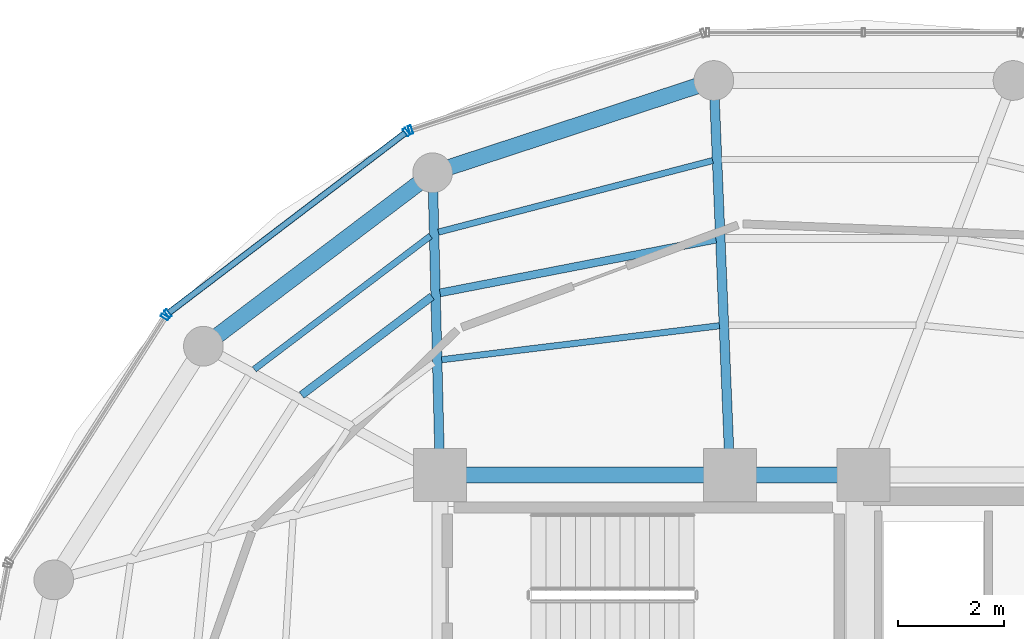
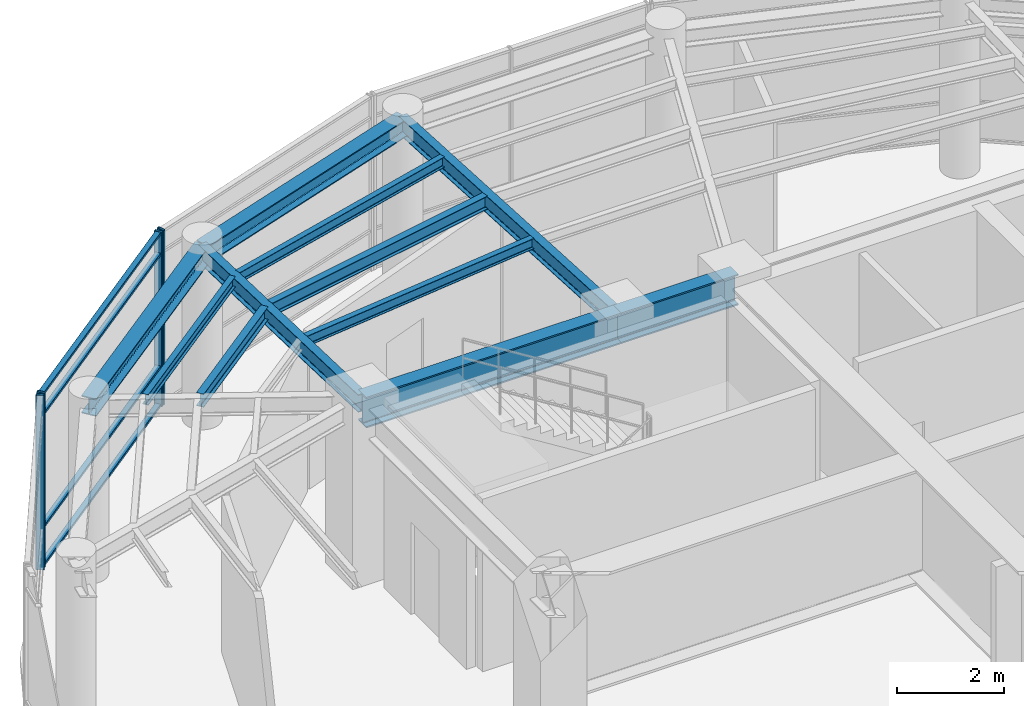
# One storey, part 10 of 19: 11 beams, 8 members, 3 elements without a shape of their own.
"""IFC4 building model written with IfcOpenShell, lengths in metres."""

from ifc_helpers import new_model, si_unit, direction, frame, origin, origin_2d, place, context, subcontext, project, spatial, hollow_rectangle, i_section, extrude, material, layer, layer_set, material_profile, profile_set, type_object, element, aggregate, save


model = new_model("IFC4")

# Units and contexts
model_context = context("Model", 3, precision=1e-05, world=origin(), true_north=direction((0.0, 1.0)))
body_context = subcontext(model_context, "Body", "Model", "MODEL_VIEW")
ifc_project = project(units=[si_unit("LENGTHUNIT", "METRE"), si_unit("AREAUNIT", "SQUARE_METRE"), si_unit("VOLUMEUNIT", "CUBIC_METRE"), si_unit("PLANEANGLEUNIT", "RADIAN"), si_unit("MASSUNIT", "GRAM", prefix="KILO")], contexts=[model_context])

# Site, building, storey
site_placement = place(None, origin())
site = spatial("IfcSite", under=ifc_project, at=site_placement, CompositionType="ELEMENT")
building_placement = place(site_placement, origin())
building = spatial("IfcBuilding", under=site, at=building_placement, Name="Kelanora Arch Commons", CompositionType="ELEMENT")
storey_placement = place(building_placement, frame((0.0, 0.0, 306.89990234375)))
storey = spatial("IfcBuildingStorey", under=building, at=storey_placement, Name="L78", CompositionType="ELEMENT", Elevation=306.89990234375)

# Beams
ifc_material_1 = material(Name="Steel S355", Category="steel")
ifc_material_profile_1 = material_profile(ifc_material_1, i_section(OverallWidth=0.300048828125, OverallDepth=0.699951171875, WebThickness=0.01708984375, FlangeThickness=0.031982421875, FilletRadius=0.027099609375, at=origin_2d()), Name="HEB700")
ifc_profile_set_1 = profile_set([ifc_material_profile_1], Name="Steel S355")
beam_type_1 = type_object("IfcBeamType", Name="BM-CORE-HDR", PredefinedType="BEAM", material=ifc_profile_set_1)
beam_1_placement = place(storey_placement, frame((74.0, 65.0, 3.630126953125), z_axis=(-1.0, 0.0, 0.0), x_axis=(0.0, -1.0, 0.0)))
element("IfcBeam", 1, at=beam_1_placement, inside=storey, type_object=beam_type_1, Name="Core Header Beam 06 L78", PredefinedType="BEAM", context=body_context, shape_type="SweptSolid", body=[
    extrude(i_section(OverallWidth=0.300048828125, OverallDepth=0.699951171875, WebThickness=0.01708984375, FlangeThickness=0.031982421875, FilletRadius=0.027099609375, at=origin_2d()), origin(), (0.0, 0.0, 1.0), 2.52001953125),
])
beam_2_placement = place(storey_placement, frame((71.47998046875, 65.0, 3.630126953125), z_axis=(-1.0, 0.0, 0.0), x_axis=(0.0, -1.0, 0.0)))
element("IfcBeam", 2, at=beam_2_placement, inside=storey, type_object=beam_type_1, Name="Core Header Beam 07 L78", PredefinedType="BEAM", context=body_context, shape_type="SweptSolid", body=[
    extrude(i_section(OverallWidth=0.300048828125, OverallDepth=0.699951171875, WebThickness=0.01708984375, FlangeThickness=0.031982421875, FilletRadius=0.027099609375, at=origin_2d()), origin(), (0.0, 0.0, 1.0), 5.47998046875),
])
ifc_material_profile_2 = material_profile(ifc_material_1, i_section(OverallWidth=0.14990234375, OverallDepth=0.300048828125, WebThickness=0.007080078125, FlangeThickness=0.0107421875, FilletRadius=0.014892578125, at=origin_2d()), Name="IPE300")
ifc_profile_set_2 = profile_set([ifc_material_profile_2], Name="Steel S355")
beam_type_2 = type_object("IfcBeamType", Name="BM-JST-01", PredefinedType="JOIST", material=ifc_profile_set_2)
beam_3_placement = place(storey_placement, frame((71.21240234375, 69.4580078125, 3.830078125), z_axis=(-0.981604860643, -0.190923800405, 0.0), x_axis=(0.190923800405, -0.981604860643, 0.0)))
element("IfcBeam", 3, at=beam_3_placement, inside=storey, type_object=beam_type_2, Name="Secondary Chord Joist BJB-10 L78", PredefinedType="JOIST", context=body_context, shape_type="SweptSolid", body=[
    extrude(i_section(OverallWidth=0.14990234375, OverallDepth=0.300048828125, WebThickness=0.007080078125, FlangeThickness=0.0107421875, FilletRadius=0.014892578125, at=origin_2d()), origin(), (0.0, 0.0, 1.0), 5.310546875),
])
beam_4_placement = place(storey_placement, frame((65.84814453125, 68.376708984375, 3.830078125), z_axis=(-0.797441333972, -0.603396485632, 0.0), x_axis=(0.603396485632, -0.797441333972, 0.0)))
element("IfcBeam", 4, at=beam_4_placement, inside=storey, type_object=beam_type_2, Name="Secondary Chord Joist BJB-12 L78", PredefinedType="JOIST", context=body_context, shape_type="SweptSolid", body=[
    extrude(i_section(OverallWidth=0.14990234375, OverallDepth=0.300048828125, WebThickness=0.007080078125, FlangeThickness=0.0107421875, FilletRadius=0.014892578125, at=origin_2d()), origin(), (0.0, 0.0, 1.0), 3.0888671875),
])
ifc_material_profile_3 = material_profile(ifc_material_1, i_section(OverallWidth=0.1201171875, OverallDepth=0.239990234375, WebThickness=0.006103515625, FlangeThickness=0.009765625, FilletRadius=0.014892578125, at=origin_2d()), Name="IPE240")
ifc_profile_set_3 = profile_set([ifc_material_profile_3], Name="Steel S355")
beam_type_3 = type_object("IfcBeamType", Name="BM-JST-02", PredefinedType="JOIST", material=ifc_profile_set_3)
beam_5_placement = place(storey_placement, frame((71.279052734375, 67.8232421875, 3.860107421875), z_axis=(-0.992603319322, -0.121402843754, 0.0), x_axis=(0.121402843754, -0.992603319322, 0.0)))
element("IfcBeam", 5, at=beam_5_placement, inside=storey, type_object=beam_type_3, Name="Secondary Chord Joist BJA-10 L78", PredefinedType="JOIST", context=body_context, shape_type="SweptSolid", body=[
    extrude(i_section(OverallWidth=0.1201171875, OverallDepth=0.239990234375, WebThickness=0.006103515625, FlangeThickness=0.009765625, FilletRadius=0.014892578125, at=origin_2d()), origin(), (0.0, 0.0, 1.0), 5.286865234375),
])
beam_6_placement = place(storey_placement, frame((71.152099609375, 70.944091796875, 3.860107421875), z_axis=(-0.967605652479, -0.252466435968, 0.0), x_axis=(0.252466435968, -0.967605652479, 0.0)))
element("IfcBeam", 6, at=beam_6_placement, inside=storey, type_object=beam_type_3, Name="Secondary Chord Joist BJC-10 L78", PredefinedType="JOIST", context=body_context, shape_type="SweptSolid", body=[
    extrude(i_section(OverallWidth=0.1201171875, OverallDepth=0.239990234375, WebThickness=0.006103515625, FlangeThickness=0.009765625, FilletRadius=0.014892578125, at=origin_2d()), origin(), (0.0, 0.0, 1.0), 5.35546875),
])
beam_7_placement = place(storey_placement, frame((65.8203125, 69.519287109375, 3.860107421875), z_axis=(-0.797480905842, -0.603344184373, 0.0), x_axis=(0.603344184373, -0.797480905842, 0.0)))
element("IfcBeam", 7, at=beam_7_placement, inside=storey, type_object=beam_type_3, Name="Secondary Chord Joist BJC-12 L78", PredefinedType="JOIST", context=body_context, shape_type="SweptSolid", body=[
    extrude(i_section(OverallWidth=0.1201171875, OverallDepth=0.239990234375, WebThickness=0.006103515625, FlangeThickness=0.009765625, FilletRadius=0.014892578125, at=origin_2d()), origin(), (0.0, 0.0, 1.0), 4.175048828125),
])
ifc_material_profile_4 = material_profile(ifc_material_1, i_section(OverallWidth=0.179931640625, OverallDepth=0.39990234375, WebThickness=0.008544921875, FlangeThickness=0.013427734375, FilletRadius=0.02099609375, at=origin_2d()), Name="IPE400")
ifc_profile_set_4 = profile_set([ifc_material_profile_4], Name="Steel S355")
beam_type_4 = type_object("IfcBeamType", Name="BM-RAD-Z5", PredefinedType="BEAM", material=ifc_profile_set_4)
beam_8_placement = place(storey_placement, frame((71.47998046875, 65.0, 3.780029296875), z_axis=(-0.041118939996, 0.999154258748, 0.0), x_axis=(-0.999154258748, -0.041118939996, 0.0)))
element("IfcBeam", 8, at=beam_8_placement, inside=storey, type_object=beam_type_4, Name="Radial Floor Girder BR-10 L78", PredefinedType="BEAM", context=body_context, shape_type="SweptSolid", body=[
    extrude(i_section(OverallWidth=0.179931640625, OverallDepth=0.39990234375, WebThickness=0.008544921875, FlangeThickness=0.013427734375, FilletRadius=0.02099609375, at=origin_2d()), origin(), (0.0, 0.0, 1.0), 7.46337890625),
])
beam_9_placement = place(storey_placement, frame((66.0, 65.0, 3.780029296875), z_axis=(-0.0244777504, 0.99970037498, 0.0), x_axis=(-0.99970037498, -0.0244777504, 0.0)))
element("IfcBeam", 9, at=beam_9_placement, inside=storey, type_object=beam_type_4, Name="Radial Floor Girder BR-12 L78", PredefinedType="BEAM", context=body_context, shape_type="SweptSolid", body=[
    extrude(i_section(OverallWidth=0.179931640625, OverallDepth=0.39990234375, WebThickness=0.008544921875, FlangeThickness=0.013427734375, FilletRadius=0.02099609375, at=origin_2d()), origin(), (0.0, 0.0, 1.0), 5.715087890625),
])
ifc_material_profile_5 = material_profile(ifc_material_1, i_section(OverallWidth=0.300048828125, OverallDepth=0.39990234375, WebThickness=0.013427734375, FlangeThickness=0.02392578125, FilletRadius=0.027099609375, at=origin_2d()), Name="HEB400")
ifc_profile_set_5 = profile_set([ifc_material_profile_5], Name="Steel S355")
beam_type_5 = type_object("IfcBeamType", Name="BM-SPN-Z4", PredefinedType="SPANDREL", material=ifc_profile_set_5)
beam_10_placement = place(storey_placement, frame((71.173095703125, 72.45703125, 3.780029296875), z_axis=(-0.950140083071, -0.311823383572, 0.0), x_axis=(0.311823383572, -0.950140083071, 0.0)))
element("IfcBeam", 10, at=beam_10_placement, inside=storey, type_object=beam_type_5, Name="Perimeter Spandrel Beam BS-10 L78", PredefinedType="SPANDREL", context=body_context, shape_type="SweptSolid", body=[
    extrude(i_section(OverallWidth=0.300048828125, OverallDepth=0.39990234375, WebThickness=0.013427734375, FlangeThickness=0.02392578125, FilletRadius=0.027099609375, at=origin_2d()), origin(), (0.0, 0.0, 1.0), 5.591796875),
])
beam_11_placement = place(storey_placement, frame((65.860107421875, 70.71337890625, 3.780029296875), z_axis=(-0.797441458309, -0.603396321309, 0.0), x_axis=(0.603396321309, -0.797441458309, 0.0)))
element("IfcBeam", 11, at=beam_11_placement, inside=storey, type_object=beam_type_5, Name="Perimeter Spandrel Beam BS-12 L78", PredefinedType="SPANDREL", context=body_context, shape_type="SweptSolid", body=[
    extrude(i_section(OverallWidth=0.300048828125, OverallDepth=0.39990234375, WebThickness=0.013427734375, FlangeThickness=0.02392578125, FilletRadius=0.027099609375, at=origin_2d()), origin(), (0.0, 0.0, 1.0), 5.431396484375),
])

# Curtain wall, member
ifc_material_2 = material(Name="Terracotta ceramic-fritted low-E glass and aluminium", Category="masonry")
ifc_layer = layer(ifc_material_2, 0.14990234375)
ifc_layer_set = layer_set([ifc_layer], Name="Terracotta ceramic-fritted low-E glass and aluminium")
curtain_wall_type = type_object("IfcCurtainWallType", Name="CW-SYS-06", PredefinedType="NOTDEFINED", material=ifc_layer_set)
curtain_wall_1_placement = place(storey_placement, origin())
curtain_wall_1 = element("IfcCurtainWall", 12, at=curtain_wall_1_placement, inside=storey, type_object=curtain_wall_type, Name="Unitised Curtain Wall L78-B05", PredefinedType="NOTDEFINED")
ifc_material_3 = material(Name="Powder-coated aluminium terracotta", Category="masonry")
ifc_material_profile_6 = material_profile(ifc_material_3, hollow_rectangle(XDim=0.159912109375, YDim=0.06005859375, WallThickness=0.0048828125, InnerFilletRadius=0.0048828125, OuterFilletRadius=0.010009765625, at=origin_2d()), Name="CWM160x60")
ifc_profile_set_6 = profile_set([ifc_material_profile_6], Name="Powder-coated aluminium terracotta")
member_type_1 = type_object("IfcMemberType", Name="CWM-STD", PredefinedType="MULLION", material=ifc_profile_set_6)
member_1_placement = place(storey_placement, frame((65.442626953125, 71.524169921875, 0.0), z_axis=(0.0, 0.0, 1.0), x_axis=(0.313466845323, -0.949599145368, 0.0)))
member_1 = element("IfcMember", 13, at=member_1_placement, type_object=member_type_1, Name="CW-06 mullion 2", PredefinedType="MULLION", context=body_context, shape_type="SweptSolid", body=[
    extrude(hollow_rectangle(XDim=0.159912109375, YDim=0.06005859375, WallThickness=0.0048828125, InnerFilletRadius=0.0048828125, OuterFilletRadius=0.010009765625, at=origin_2d()), origin(), (0.0, 0.0, 1.0), 3.965087890625),
])
aggregate(curtain_wall_1, [member_1])

# Curtain wall, members
curtain_wall_2_placement = place(storey_placement, origin())
curtain_wall_2 = element("IfcCurtainWall", 14, at=curtain_wall_2_placement, inside=storey, type_object=curtain_wall_type, Name="Unitised Curtain Wall L78-B06", PredefinedType="NOTDEFINED")
member_2_placement = place(storey_placement, frame((65.3642578125, 71.482666015625, 0.0), z_axis=(0.0, 0.0, 1.0), x_axis=(0.605595960801, -0.795772286688, 0.0)))
member_2 = element("IfcMember", 15, at=member_2_placement, type_object=member_type_1, Name="CW-06 mullion 1", PredefinedType="MULLION", context=body_context, shape_type="SweptSolid", body=[
    extrude(hollow_rectangle(XDim=0.159912109375, YDim=0.06005859375, WallThickness=0.0048828125, InnerFilletRadius=0.0048828125, OuterFilletRadius=0.010009765625, at=origin_2d()), origin(), (0.0, 0.0, 1.0), 3.965087890625),
])
member_3_placement = place(storey_placement, frame((60.85986328125, 68.0546875, 0.0), z_axis=(0.0, 0.0, 1.0), x_axis=(0.605595960801, -0.795772286688, 0.0)))
member_3 = element("IfcMember", 16, at=member_3_placement, type_object=member_type_1, Name="CW-06 mullion 2", PredefinedType="MULLION", context=body_context, shape_type="SweptSolid", body=[
    extrude(hollow_rectangle(XDim=0.159912109375, YDim=0.06005859375, WallThickness=0.0048828125, InnerFilletRadius=0.0048828125, OuterFilletRadius=0.010009765625, at=origin_2d()), origin(), (0.0, 0.0, 1.0), 3.965087890625),
])

# Curtain wall, member
curtain_wall_3_placement = place(storey_placement, origin())
curtain_wall_3 = element("IfcCurtainWall", 17, at=curtain_wall_3_placement, inside=storey, type_object=curtain_wall_type, Name="Unitised Curtain Wall L78-B07", PredefinedType="NOTDEFINED")
member_4_placement = place(storey_placement, frame((60.7998046875, 67.989501953125, 0.0), z_axis=(0.0, 0.0, 1.0), x_axis=(0.84359225554, -0.536984270154, 0.0)))
member_4 = element("IfcMember", 18, at=member_4_placement, type_object=member_type_1, Name="CW-06 mullion 1", PredefinedType="MULLION", context=body_context, shape_type="SweptSolid", body=[
    extrude(hollow_rectangle(XDim=0.159912109375, YDim=0.06005859375, WallThickness=0.0048828125, InnerFilletRadius=0.0048828125, OuterFilletRadius=0.010009765625, at=origin_2d()), origin(), (0.0, 0.0, 1.0), 3.965087890625),
])
aggregate(curtain_wall_3, [member_4])

# Member
ifc_material_profile_7 = material_profile(ifc_material_3, hollow_rectangle(XDim=0.1201171875, YDim=0.06005859375, WallThickness=0.0048828125, InnerFilletRadius=0.0048828125, OuterFilletRadius=0.010009765625, at=origin_2d()), Name="CWT120x60")
ifc_profile_set_7 = profile_set([ifc_material_profile_7], Name="Powder-coated aluminium terracotta")
member_type_2 = type_object("IfcMemberType", Name="CWT-STD", PredefinedType="USERDEFINED", material=ifc_profile_set_7)
member_5_placement = place(storey_placement, frame((65.34033203125, 71.464599609375, 0.030029296875), z_axis=(-0.79577982782, -0.605586051387, 0.0), x_axis=(0.605586051387, -0.79577982782, 0.0)))
member_5 = element("IfcMember", 19, at=member_5_placement, type_object=member_type_2, Name="CW-06 transom 1.1", ObjectType="TRANSOM", PredefinedType="USERDEFINED", context=body_context, shape_type="SweptSolid", body=[
    extrude(hollow_rectangle(XDim=0.1201171875, YDim=0.06005859375, WallThickness=0.0048828125, InnerFilletRadius=0.0048828125, OuterFilletRadius=0.010009765625, at=origin_2d()), origin(), (0.0, 0.0, 1.0), 5.6005859375),
])

member_6_placement = place(storey_placement, frame((65.34033203125, 71.464599609375, 0.900146484375), z_axis=(-0.79577982782, -0.605586051387, 0.0), x_axis=(0.605586051387, -0.79577982782, 0.0)))
member_6 = element("IfcMember", 20, at=member_6_placement, type_object=member_type_2, Name="CW-06 transom 1.2", ObjectType="TRANSOM", PredefinedType="USERDEFINED", context=body_context, shape_type="SweptSolid", body=[
    extrude(hollow_rectangle(XDim=0.1201171875, YDim=0.06005859375, WallThickness=0.0048828125, InnerFilletRadius=0.0048828125, OuterFilletRadius=0.010009765625, at=origin_2d()), origin(), (0.0, 0.0, 1.0), 5.6005859375),
])

member_7_placement = place(storey_placement, frame((65.34033203125, 71.464599609375, 3.465087890625), z_axis=(-0.79577982782, -0.605586051387, 0.0), x_axis=(0.605586051387, -0.79577982782, 0.0)))
member_7 = element("IfcMember", 21, at=member_7_placement, type_object=member_type_2, Name="CW-06 transom 1.3", ObjectType="TRANSOM", PredefinedType="USERDEFINED", context=body_context, shape_type="SweptSolid", body=[
    extrude(hollow_rectangle(XDim=0.1201171875, YDim=0.06005859375, WallThickness=0.0048828125, InnerFilletRadius=0.0048828125, OuterFilletRadius=0.010009765625, at=origin_2d()), origin(), (0.0, 0.0, 1.0), 5.6005859375),
])

member_8_placement = place(storey_placement, frame((65.34033203125, 71.464599609375, 3.93505859375), z_axis=(-0.79577982782, -0.605586051387, 0.0), x_axis=(0.605586051387, -0.79577982782, 0.0)))
member_8 = element("IfcMember", 22, at=member_8_placement, type_object=member_type_2, Name="CW-06 transom 1.4", ObjectType="TRANSOM", PredefinedType="USERDEFINED", context=body_context, shape_type="SweptSolid", body=[
    extrude(hollow_rectangle(XDim=0.1201171875, YDim=0.06005859375, WallThickness=0.0048828125, InnerFilletRadius=0.0048828125, OuterFilletRadius=0.010009765625, at=origin_2d()), origin(), (0.0, 0.0, 1.0), 5.6005859375),
])

aggregate(curtain_wall_2, [member_2, member_3, member_5, member_6, member_7, member_8])

save(model, "model.ifc")
